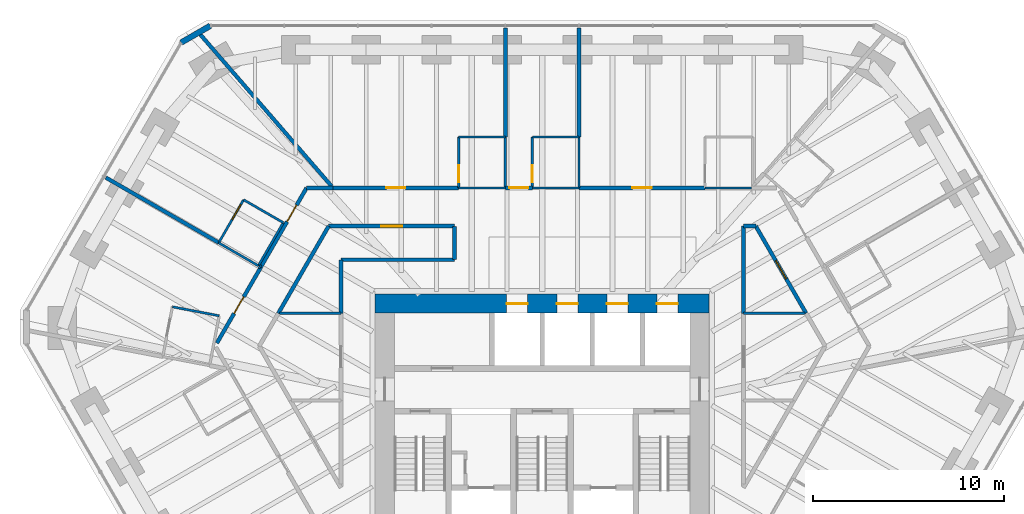
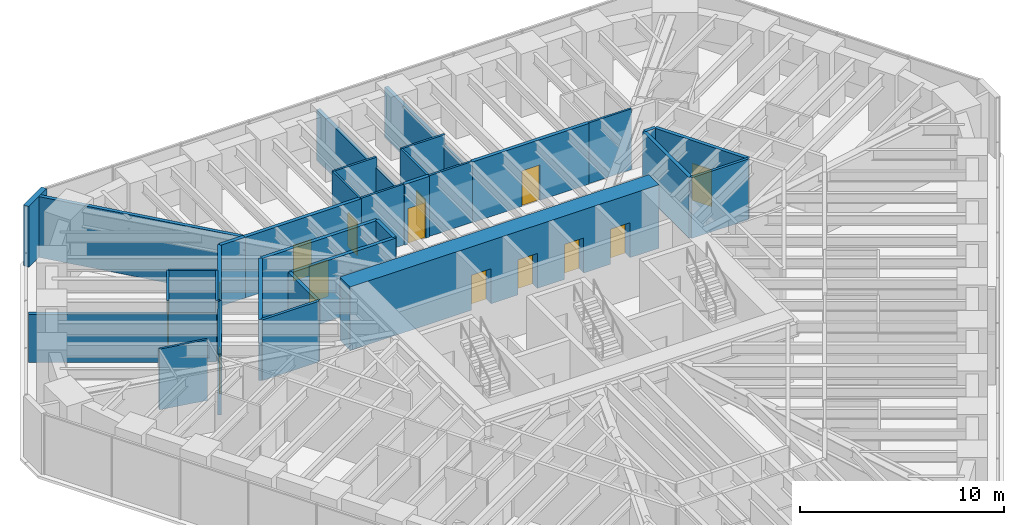
# One storey, part 14 of 16: 37 walls, 14 doors, 14 openings.
"""IFC4 building model written with IfcOpenShell, lengths in metres."""

from ifc_helpers import new_model, si_unit, direction, frame, frame_2d, origin, place, context, subcontext, project, spatial, rectangle, extrude, material, layer, layer_set, type_object, element, fill, save


model = new_model("IFC4")

# Units and contexts
model_context = context("Model", 3, precision=1e-05, world=origin(), true_north=direction((0.0, 1.0)))
body_context = subcontext(model_context, "Body", "Model", "MODEL_VIEW")
ifc_project = project(units=[si_unit("LENGTHUNIT", "METRE"), si_unit("AREAUNIT", "SQUARE_METRE"), si_unit("VOLUMEUNIT", "CUBIC_METRE"), si_unit("PLANEANGLEUNIT", "RADIAN"), si_unit("MASSUNIT", "GRAM", prefix="KILO")], contexts=[model_context])

# Site, building, storey
site_placement = place(None, origin())
site = spatial("IfcSite", under=ifc_project, at=site_placement, CompositionType="ELEMENT")
building_placement = place(site_placement, origin())
building = spatial("IfcBuilding", under=site, at=building_placement, Name="Sandreach Pilgrim Tower", CompositionType="ELEMENT")
storey_placement = place(building_placement, frame((0.0, 0.0, 190.800048828125)))
storey = spatial("IfcBuildingStorey", under=building, at=storey_placement, Name="L47", CompositionType="ELEMENT", Elevation=190.800048828125)

# Walls
ifc_material_1 = material(Name="Gypsum board on steel studs", Category="steel")
ifc_layer_1 = layer(ifc_material_1, 0.14990234375)
ifc_layer_set_1 = layer_set([ifc_layer_1], Name="Back of house wall 150")
wall_type_1 = type_object("IfcWallType", Name="Back of house wall 150", PredefinedType="PARTITIONING", material=ifc_layer_set_1)
for number, where, z_axis, x_axis, name in (
    (1, (-13.77490234375, 6.090087890625, 0.0), (0.0, 0.0, 1.0), (1.0, 0.0, 0.0), "Back of house wall L47-026"),
    (2, (13.77490234375, 6.090087890625, 0.0), (0.0, 0.0, 1.0), (-1.0, 0.0, 0.0), "Back of house wall L47-131"),
):
    element("IfcWall", number, at=place(storey_placement, frame(where, z_axis=z_axis, x_axis=x_axis)), inside=storey, type_object=wall_type_1, Name=name, PredefinedType="PARTITIONING", context=body_context, shape_type="SweptSolid", body=[
        extrude(rectangle(XDim=3.224853515625, YDim=0.14990234375, at=frame_2d((1.6123046875, 0.0))), origin(), (0.0, 0.0, 1.0), 3.639892578125),
    ])
ifc_material_2 = material(Name="Moisture-resistant gypsum board on steel studs", Category="steel")
ifc_layer_2 = layer(ifc_material_2, 0.1201171875)
ifc_layer_set_2 = layer_set([ifc_layer_2], Name="Bathroom partition 120")
wall_type_2 = type_object("IfcWallType", Name="Bathroom partition 120", PredefinedType="PARTITIONING", material=ifc_layer_set_2)
wall_1_placement = place(storey_placement, frame((-16.953857421875, 9.783447265625, 0.0), z_axis=(0.0, 0.0, 1.0), x_axis=(0.865862137391, -0.500282679124, 0.0)))
element("IfcWall", 3, at=wall_1_placement, inside=storey, type_object=wall_type_2, Name="Bathroom partition L47-011", PredefinedType="PARTITIONING", context=body_context, shape_type="SweptSolid", body=[
    extrude(rectangle(XDim=2.4013671875, YDim=0.1201171875, at=frame_2d((1.20068359375, 0.0))), origin(), (0.0, 0.0, 1.0), 2.8779296875),
])
wall_2_placement = place(storey_placement, frame((-16.929931640625, 5.9599609375, 0.0), z_axis=(0.0, 0.0, 1.0), x_axis=(-0.982097071605, 0.18837553436, 0.0)))
element("IfcWall", 4, at=wall_2_placement, inside=storey, type_object=wall_type_2, Name="Bathroom partition L47-013", PredefinedType="PARTITIONING", context=body_context, shape_type="SweptSolid", body=[
    extrude(rectangle(XDim=2.494873046875, YDim=0.1201171875, at=frame_2d((1.24755859375, 0.0))), origin(), (0.0, 0.0, 1.0), 3.639892578125),
])

# Wall, opening, door
wall_3_placement = place(storey_placement, frame((-15.64990234375, 12.0400390625, 0.0), z_axis=(0.0, 0.0, 1.0), x_axis=(-0.500291685314, -0.865856933682, 0.0)))
wall_3 = element("IfcWall", 5, at=wall_3_placement, inside=storey, type_object=wall_type_2, Name="Bathroom partition L47-016", PredefinedType="PARTITIONING", context=body_context, shape_type="SweptSolid", body=[
    extrude(rectangle(XDim=2.5986328125, YDim=0.1201171875, at=frame_2d((1.29931640625, 0.0))), origin(), (0.0, 0.0, 1.0), 3.639892578125),
])
opening_1_placement = place(wall_3_placement, frame((0.300048828125, 0.0, 0.0)))
opening_1 = element("IfcOpeningElement", 6, at=opening_1_placement, cuts=wall_3, Name="Opening D09-17B", PredefinedType="OPENING", context=body_context, shape_type="SweptSolid", body=[
    extrude(rectangle(XDim=0.89990234375, YDim=2.030029296875, at=frame_2d((0.449951171875, 1.01513671875))), frame((0.0, 0.06005859375, 0.0), z_axis=(0.0, -1.0, 0.0), x_axis=(1.0, 0.0, 0.0)), (0.0, 0.0, 1.0), 0.1201171875),
])
ifc_material_3 = material(Name="Timber door, steel frame", Category="steel")
door_type_1 = type_object("IfcDoorType", Name="Bathroom door", OperationType="SINGLE_SWING_LEFT", PredefinedType="DOOR", material=ifc_material_3)
door_1_placement = place(opening_1_placement, origin())
door_1 = element("IfcDoor", 7, at=door_1_placement, inside=storey, type_object=door_type_1, Name="Door 4717B", OperationType="SINGLE_SWING_LEFT", OverallHeight=2.030029296875, OverallWidth=0.89990234375, PredefinedType="DOOR", context=body_context, shape_type="SweptSolid", body=[
    extrude(rectangle(XDim=0.89990234375, YDim=2.030029296875, at=frame_2d((0.449951171875, 1.01513671875))), frame((0.0, 0.02490234375, 0.0), z_axis=(0.0, -1.0, 0.0), x_axis=(1.0, 0.0, 0.0)), (0.0, 0.0, 1.0), 0.050048828125),
])
fill(opening_1, door_1)

# Walls
wall_4_placement = place(storey_placement, frame((-14.8701171875, 8.590087890625, 0.0), z_axis=(0.0, 0.0, 1.0), x_axis=(0.500291685314, 0.865856933682, 0.0)))
element("IfcWall", 8, at=wall_4_placement, inside=storey, type_object=wall_type_2, Name="Bathroom partition L47-018", PredefinedType="PARTITIONING", context=body_context, shape_type="SweptSolid", body=[
    extrude(rectangle(XDim=2.5986328125, YDim=0.1201171875, at=frame_2d((1.29931640625, 0.0))), origin(), (0.0, 0.0, 1.0), 3.639892578125),
])
wall_5_placement = place(storey_placement, frame((-13.570068359375, 10.840087890625, 0.0), z_axis=(0.0, 0.0, 1.0), x_axis=(-0.866177122335, 0.499737123639, 0.0)))
element("IfcWall", 9, at=wall_5_placement, inside=storey, type_object=wall_type_2, Name="Bathroom partition L47-027", PredefinedType="PARTITIONING", context=body_context, shape_type="SweptSolid", body=[
    extrude(rectangle(XDim=2.401123046875, YDim=0.1201171875, at=frame_2d((1.20068359375, 0.0))), origin(), (0.0, 0.0, 1.0), 3.639892578125),
])

# Wall, opening, door
wall_6_placement = place(storey_placement, frame((-4.3798828125, 15.330078125, 0.0), z_axis=(0.0, 0.0, 1.0), x_axis=(0.0, -1.0, 0.0)))
wall_6 = element("IfcWall", 10, at=wall_6_placement, inside=storey, type_object=wall_type_2, Name="Bathroom partition L47-052", PredefinedType="PARTITIONING", context=body_context, shape_type="SweptSolid", body=[
    extrude(rectangle(XDim=2.670166015625, YDim=0.1201171875, at=frame_2d((1.3349609375, 0.0))), origin(), (0.0, 0.0, 1.0), 3.639892578125),
])
opening_2_placement = place(wall_6_placement, frame((1.469970703125, 0.0, 0.0)))
opening_2 = element("IfcOpeningElement", 11, at=opening_2_placement, cuts=wall_6, Name="Opening D09-01B", PredefinedType="OPENING", context=body_context, shape_type="SweptSolid", body=[
    extrude(rectangle(XDim=0.89990234375, YDim=2.030029296875, at=frame_2d((0.449951171875, 1.01513671875))), frame((0.0, 0.06005859375, 0.0), z_axis=(0.0, -1.0, 0.0), x_axis=(1.0, 0.0, 0.0)), (0.0, 0.0, 1.0), 0.1201171875),
])
door_2_placement = place(opening_2_placement, origin())
door_2 = element("IfcDoor", 12, at=door_2_placement, inside=storey, type_object=door_type_1, Name="Door 4701B", OperationType="SINGLE_SWING_RIGHT", OverallHeight=2.030029296875, OverallWidth=0.89990234375, PredefinedType="DOOR", context=body_context, shape_type="SweptSolid", body=[
    extrude(rectangle(XDim=0.89990234375, YDim=2.030029296875, at=frame_2d((0.449951171875, 1.01513671875))), frame((0.0, 0.02490234375, 0.0), z_axis=(0.0, -1.0, 0.0), x_axis=(1.0, 0.0, 0.0)), (0.0, 0.0, 1.0), 0.050048828125),
])
fill(opening_2, door_2)

# Walls
for number, where, z_axis, x_axis, name in (
    (13, (-1.929931640625, 12.659912109375, 0.0), (0.0, 0.0, 1.0), (-1.0, 0.0, 0.0), "Bathroom partition L47-064"),
    (14, (-1.929931640625, 15.330078125, 0.0), (0.0, 0.0, 1.0), (-1.0, 0.0, 0.0), "Bathroom partition L47-065"),
):
    element("IfcWall", number, at=place(storey_placement, frame(where, z_axis=z_axis, x_axis=x_axis)), inside=storey, type_object=wall_type_2, Name=name, PredefinedType="PARTITIONING", context=body_context, shape_type="SweptSolid", body=[
        extrude(rectangle(XDim=2.449951171875, YDim=0.1201171875, at=frame_2d((1.22509765625, 0.0))), origin(), (0.0, 0.0, 1.0), 3.639892578125),
    ])
wall_7_placement = place(storey_placement, frame((-1.929931640625, 15.330078125, 0.0), z_axis=(0.0, 0.0, 1.0), x_axis=(0.0, -1.0, 0.0)))
element("IfcWall", 15, at=wall_7_placement, inside=storey, type_object=wall_type_2, Name="Bathroom partition L47-066", PredefinedType="PARTITIONING", context=body_context, shape_type="SweptSolid", body=[
    extrude(rectangle(XDim=2.670166015625, YDim=0.1201171875, at=frame_2d((1.3349609375, 0.0))), origin(), (0.0, 0.0, 1.0), 3.022705078125),
])

# Wall, opening, door
wall_8_placement = place(storey_placement, frame((-0.52001953125, 15.330078125, 0.0), z_axis=(0.0, 0.0, 1.0), x_axis=(0.0, -1.0, 0.0)))
wall_8 = element("IfcWall", 16, at=wall_8_placement, inside=storey, type_object=wall_type_2, Name="Bathroom partition L47-073", PredefinedType="PARTITIONING", context=body_context, shape_type="SweptSolid", body=[
    extrude(rectangle(XDim=2.670166015625, YDim=0.1201171875, at=frame_2d((1.3349609375, 0.0))), origin(), (0.0, 0.0, 1.0), 3.639892578125),
])
opening_3_placement = place(wall_8_placement, frame((1.469970703125, 0.0, 0.0)))
opening_3 = element("IfcOpeningElement", 17, at=opening_3_placement, cuts=wall_8, Name="Opening D09-02B", PredefinedType="OPENING", context=body_context, shape_type="SweptSolid", body=[
    extrude(rectangle(XDim=0.89990234375, YDim=2.030029296875, at=frame_2d((0.449951171875, 1.01513671875))), frame((0.0, 0.06005859375, 0.0), z_axis=(0.0, -1.0, 0.0), x_axis=(1.0, 0.0, 0.0)), (0.0, 0.0, 1.0), 0.1201171875),
])
door_3_placement = place(opening_3_placement, origin())
door_3 = element("IfcDoor", 18, at=door_3_placement, inside=storey, type_object=door_type_1, Name="Door 4702B", OperationType="SINGLE_SWING_RIGHT", OverallHeight=2.030029296875, OverallWidth=0.89990234375, PredefinedType="DOOR", context=body_context, shape_type="SweptSolid", body=[
    extrude(rectangle(XDim=0.89990234375, YDim=2.030029296875, at=frame_2d((0.449951171875, 1.01513671875))), frame((0.0, 0.02490234375, 0.0), z_axis=(0.0, -1.0, 0.0), x_axis=(1.0, 0.0, 0.0)), (0.0, 0.0, 1.0), 0.050048828125),
])
fill(opening_3, door_3)

# Walls
for number, where, z_axis, x_axis, name in (
    (19, (1.929931640625, 12.659912109375, 0.0), (0.0, 0.0, 1.0), (-1.0, 0.0, 0.0), "Bathroom partition L47-080"),
    (20, (1.929931640625, 15.330078125, 0.0), (0.0, 0.0, 1.0), (-1.0, 0.0, 0.0), "Bathroom partition L47-081"),
):
    element("IfcWall", number, at=place(storey_placement, frame(where, z_axis=z_axis, x_axis=x_axis)), inside=storey, type_object=wall_type_2, Name=name, PredefinedType="PARTITIONING", context=body_context, shape_type="SweptSolid", body=[
        extrude(rectangle(XDim=2.449951171875, YDim=0.1201171875, at=frame_2d((1.22509765625, 0.0))), origin(), (0.0, 0.0, 1.0), 3.639892578125),
    ])
wall_9_placement = place(storey_placement, frame((1.929931640625, 15.330078125, 0.0), z_axis=(0.0, 0.0, 1.0), x_axis=(0.0, -1.0, 0.0)))
element("IfcWall", 21, at=wall_9_placement, inside=storey, type_object=wall_type_2, Name="Bathroom partition L47-082", PredefinedType="PARTITIONING", context=body_context, shape_type="SweptSolid", body=[
    extrude(rectangle(XDim=2.670166015625, YDim=0.1201171875, at=frame_2d((1.3349609375, 0.0))), origin(), (0.0, 0.0, 1.0), 3.022705078125),
])
wall_10_placement = place(storey_placement, frame((10.9599609375, 12.659912109375, 0.0), z_axis=(0.0, 0.0, 1.0), x_axis=(-1.0, 0.0, 0.0)))
element("IfcWall", 22, at=wall_10_placement, inside=storey, type_object=wall_type_2, Name="Bathroom partition L47-111", PredefinedType="PARTITIONING", context=body_context, shape_type="SweptSolid", body=[
    extrude(rectangle(XDim=2.429931640625, YDim=0.1201171875, at=frame_2d((1.21484375, 0.0))), origin(), (0.0, 0.0, 1.0), 3.639892578125),
])

# Wall, openings, doors
ifc_material_4 = material(Name="Concrete 10000 psi", Category="concrete")
ifc_layer_3 = layer(ifc_material_4, 1.0)
ifc_layer_set_3 = layer_set([ifc_layer_3], Name="Core wall 1000")
wall_type_3 = type_object("IfcWallType", Name="Core wall 1000", PredefinedType="SHEAR", material=ifc_layer_set_3)
wall_11_placement = place(storey_placement, frame((-8.75, 6.60009765625, 0.0), z_axis=(0.0, 0.0, 1.0), x_axis=(1.0, 0.0, 0.0)))
wall_11 = element("IfcWall", 23, at=wall_11_placement, inside=storey, type_object=wall_type_3, Name="Core wall N L47", PredefinedType="SHEAR", context=body_context, shape_type="SweptSolid", body=[
    extrude(rectangle(XDim=17.5, YDim=1.0, at=frame_2d((8.75, 0.0))), origin(), (0.0, 0.0, 1.0), 3.800048828125),
])
opening_4_placement = place(wall_11_placement, frame((6.887451171875, 0.0, 0.0)))
opening_4 = element("IfcOpeningElement", 24, at=opening_4_placement, cuts=wall_11, Name="Opening LD11", PredefinedType="OPENING", context=body_context, shape_type="SweptSolid", body=[
    extrude(rectangle(XDim=1.10009765625, YDim=2.10009765625, at=frame_2d((0.550048828125, 1.050048828125))), frame((0.0, 0.5, 0.0), z_axis=(0.0, -1.0, 0.0), x_axis=(1.0, 0.0, 0.0)), (0.0, 0.0, 1.0), 1.0),
])
opening_5_placement = place(wall_11_placement, frame((9.512451171875, 0.0, 0.0)))
opening_5 = element("IfcOpeningElement", 25, at=opening_5_placement, cuts=wall_11, Name="Opening LD11", PredefinedType="OPENING", context=body_context, shape_type="SweptSolid", body=[
    extrude(rectangle(XDim=1.10009765625, YDim=2.10009765625, at=frame_2d((0.550048828125, 1.050048828125))), frame((0.0, 0.5, 0.0), z_axis=(0.0, -1.0, 0.0), x_axis=(1.0, 0.0, 0.0)), (0.0, 0.0, 1.0), 1.0),
])
opening_6_placement = place(wall_11_placement, frame((12.137451171875, 0.0, 0.0)))
opening_6 = element("IfcOpeningElement", 26, at=opening_6_placement, cuts=wall_11, Name="Opening LD11", PredefinedType="OPENING", context=body_context, shape_type="SweptSolid", body=[
    extrude(rectangle(XDim=1.10009765625, YDim=2.10009765625, at=frame_2d((0.550048828125, 1.050048828125))), frame((0.0, 0.5, 0.0), z_axis=(0.0, -1.0, 0.0), x_axis=(1.0, 0.0, 0.0)), (0.0, 0.0, 1.0), 1.0),
])
opening_7_placement = place(wall_11_placement, frame((14.762451171875, 0.0, 0.0)))
opening_7 = element("IfcOpeningElement", 27, at=opening_7_placement, cuts=wall_11, Name="Opening LD11", PredefinedType="OPENING", context=body_context, shape_type="SweptSolid", body=[
    extrude(rectangle(XDim=1.10009765625, YDim=2.10009765625, at=frame_2d((0.550048828125, 1.050048828125))), frame((0.0, 0.5, 0.0), z_axis=(0.0, -1.0, 0.0), x_axis=(1.0, 0.0, 0.0)), (0.0, 0.0, 1.0), 1.0),
])
ifc_material_5 = material(Name="Steel door and frame", Category="steel")
door_type_2 = type_object("IfcDoorType", Name="Lift landing door", OperationType="DOUBLE_DOOR_SLIDING", PredefinedType="DOOR", material=ifc_material_5)
door_4_placement = place(opening_4_placement, origin())
door_4 = element("IfcDoor", 28, at=door_4_placement, inside=storey, type_object=door_type_2, Name="Lift landing door Z3A L47", OperationType="DOUBLE_DOOR_SLIDING", OverallHeight=2.10009765625, OverallWidth=1.10009765625, PredefinedType="DOOR", context=body_context, shape_type="SweptSolid", body=[
    extrude(rectangle(XDim=1.10009765625, YDim=2.10009765625, at=frame_2d((0.550048828125, 1.050048828125))), frame((0.0, 0.02490234375, 0.0), z_axis=(0.0, -1.0, 0.0), x_axis=(1.0, 0.0, 0.0)), (0.0, 0.0, 1.0), 0.050048828125),
])
fill(opening_4, door_4)
door_5_placement = place(opening_5_placement, origin())
door_5 = element("IfcDoor", 29, at=door_5_placement, inside=storey, type_object=door_type_2, Name="Lift landing door Z3B L47", OperationType="DOUBLE_DOOR_SLIDING", OverallHeight=2.10009765625, OverallWidth=1.10009765625, PredefinedType="DOOR", context=body_context, shape_type="SweptSolid", body=[
    extrude(rectangle(XDim=1.10009765625, YDim=2.10009765625, at=frame_2d((0.550048828125, 1.050048828125))), frame((0.0, 0.02490234375, 0.0), z_axis=(0.0, -1.0, 0.0), x_axis=(1.0, 0.0, 0.0)), (0.0, 0.0, 1.0), 0.050048828125),
])
fill(opening_5, door_5)
door_6_placement = place(opening_6_placement, origin())
door_6 = element("IfcDoor", 30, at=door_6_placement, inside=storey, type_object=door_type_2, Name="Lift landing door Z3C L47", OperationType="DOUBLE_DOOR_SLIDING", OverallHeight=2.10009765625, OverallWidth=1.10009765625, PredefinedType="DOOR", context=body_context, shape_type="SweptSolid", body=[
    extrude(rectangle(XDim=1.10009765625, YDim=2.10009765625, at=frame_2d((0.550048828125, 1.050048828125))), frame((0.0, 0.02490234375, 0.0), z_axis=(0.0, -1.0, 0.0), x_axis=(1.0, 0.0, 0.0)), (0.0, 0.0, 1.0), 0.050048828125),
])
fill(opening_6, door_6)
door_7_placement = place(opening_7_placement, origin())
door_7 = element("IfcDoor", 31, at=door_7_placement, inside=storey, type_object=door_type_2, Name="Lift landing door Z3D L47", OperationType="DOUBLE_DOOR_SLIDING", OverallHeight=2.10009765625, OverallWidth=1.10009765625, PredefinedType="DOOR", context=body_context, shape_type="SweptSolid", body=[
    extrude(rectangle(XDim=1.10009765625, YDim=2.10009765625, at=frame_2d((0.550048828125, 1.050048828125))), frame((0.0, 0.02490234375, 0.0), z_axis=(0.0, -1.0, 0.0), x_axis=(1.0, 0.0, 0.0)), (0.0, 0.0, 1.0), 0.050048828125),
])
fill(opening_7, door_7)

# Wall, opening, door
ifc_material_6 = material(Name="Gypsum board on steel studs, two layers each side", Category="steel")
ifc_layer_4 = layer(ifc_material_6, 0.199951171875)
ifc_layer_set_4 = layer_set([ifc_layer_4], Name="Corridor wall 200")
wall_type_4 = type_object("IfcWallType", Name="Corridor wall 200", PredefinedType="PARTITIONING", material=ifc_layer_set_4)
wall_12_placement = place(storey_placement, frame((-14.75, 8.510009765625, 0.0), z_axis=(0.0, 0.0, 1.0), x_axis=(0.500618647881, 0.86566793252, 0.0)))
wall_12 = element("IfcWall", 32, at=wall_12_placement, inside=storey, type_object=wall_type_4, Name="Corridor wall L47-021", PredefinedType="PARTITIONING", context=body_context, shape_type="SweptSolid", body=[
    extrude(rectangle(XDim=4.7939453125, YDim=0.199951171875, at=frame_2d((2.39697265625, 0.0))), origin(), (0.0, 0.0, 1.0), 3.639892578125),
])
opening_8_placement = place(wall_12_placement, frame((2.75, 0.0, 0.0)))
opening_8 = element("IfcOpeningElement", 33, at=opening_8_placement, cuts=wall_12, Name="Opening D10-17", PredefinedType="OPENING", context=body_context, shape_type="SweptSolid", body=[
    extrude(rectangle(XDim=1.0, YDim=2.1298828125, at=frame_2d((0.5, 1.06494140625))), frame((0.0, 0.10009765625, 0.0), z_axis=(0.0, -1.0, 0.0), x_axis=(1.0, 0.0, 0.0)), (0.0, 0.0, 1.0), 0.199951171875),
])
ifc_material_7 = material(Name="Steel door and frame", Category="steel")
door_type_3 = type_object("IfcDoorType", Name="Guest room entry door", OperationType="SINGLE_SWING_LEFT", PredefinedType="DOOR", material=ifc_material_7)
door_8_placement = place(opening_8_placement, origin())
door_8 = element("IfcDoor", 34, at=door_8_placement, inside=storey, type_object=door_type_3, Name="Door 4717", OperationType="SINGLE_SWING_RIGHT", OverallHeight=2.1298828125, OverallWidth=1.0, PredefinedType="DOOR", context=body_context, shape_type="SweptSolid", body=[
    extrude(rectangle(XDim=1.0, YDim=2.1298828125, at=frame_2d((0.5, 1.06494140625))), frame((0.0, 0.02490234375, 0.0), z_axis=(0.0, -1.0, 0.0), x_axis=(1.0, 0.0, 0.0)), (0.0, 0.0, 1.0), 0.050048828125),
])
fill(opening_8, door_8)

wall_13_placement = place(storey_placement, frame((-14.739990234375, 8.510009765625, 0.0), z_axis=(0.0, 0.0, 1.0), x_axis=(-0.501513165407, -0.865150012959, 0.0)))
wall_13 = element("IfcWall", 35, at=wall_13_placement, inside=storey, type_object=wall_type_4, Name="Corridor wall L47-022", PredefinedType="PARTITIONING", context=body_context, shape_type="SweptSolid", body=[
    extrude(rectangle(XDim=4.600341796875, YDim=0.199951171875, at=frame_2d((2.30029296875, 0.0))), origin(), (0.0, 0.0, 1.0), 3.639892578125),
])
opening_9_placement = place(wall_13_placement, frame((1.80029296875, 0.0, 0.0)))
opening_9 = element("IfcOpeningElement", 36, at=opening_9_placement, cuts=wall_13, Name="Opening D10-16", PredefinedType="OPENING", context=body_context, shape_type="SweptSolid", body=[
    extrude(rectangle(XDim=1.0, YDim=2.1298828125, at=frame_2d((0.5, 1.06494140625))), frame((0.0, 0.10009765625, 0.0), z_axis=(0.0, -1.0, 0.0), x_axis=(1.0, 0.0, 0.0)), (0.0, 0.0, 1.0), 0.199951171875),
])
door_9_placement = place(opening_9_placement, origin())
door_9 = element("IfcDoor", 37, at=door_9_placement, inside=storey, type_object=door_type_3, Name="Door 4716", OperationType="SINGLE_SWING_LEFT", OverallHeight=2.1298828125, OverallWidth=1.0, PredefinedType="DOOR", context=body_context, shape_type="SweptSolid", body=[
    extrude(rectangle(XDim=1.0, YDim=2.1298828125, at=frame_2d((0.5, 1.06494140625))), frame((0.0, 0.02490234375, 0.0), z_axis=(0.0, -1.0, 0.0), x_axis=(1.0, 0.0, 0.0)), (0.0, 0.0, 1.0), 0.050048828125),
])
fill(opening_9, door_9)

# Wall
wall_14_placement = place(storey_placement, frame((-13.830078125, 6.090087890625, 0.0), z_axis=(0.0, 0.0, 1.0), x_axis=(0.500248310865, 0.865881993967, 0.0)))
element("IfcWall", 38, at=wall_14_placement, inside=storey, type_object=wall_type_4, Name="Corridor wall L47-025", PredefinedType="PARTITIONING", context=body_context, shape_type="SweptSolid", body=[
    extrude(rectangle(XDim=5.277587890625, YDim=0.199951171875, at=frame_2d((2.638671875, 0.0))), origin(), (0.0, 0.0, 1.0), 3.639892578125),
])

# Wall, opening, door
wall_15_placement = place(storey_placement, frame((-11.18994140625, 10.659912109375, 0.0), z_axis=(0.0, 0.0, 1.0), x_axis=(1.0, 0.0, 0.0)))
wall_15 = element("IfcWall", 39, at=wall_15_placement, inside=storey, type_object=wall_type_4, Name="Corridor wall L47-033", PredefinedType="PARTITIONING", context=body_context, shape_type="SweptSolid", body=[
    extrude(rectangle(XDim=6.58984375, YDim=0.199951171875, at=frame_2d((3.294921875, 0.0))), origin(), (0.0, 0.0, 1.0), 3.639892578125),
])
opening_10_placement = place(wall_15_placement, frame((2.7451171875, 0.0, 0.0)))
opening_10 = element("IfcOpeningElement", 40, at=opening_10_placement, cuts=wall_15, Name="Opening D11H-M03", PredefinedType="OPENING", context=body_context, shape_type="SweptSolid", body=[
    extrude(rectangle(XDim=1.10009765625, YDim=2.199951171875, at=frame_2d((0.550048828125, 1.10009765625))), frame((0.0, 0.10009765625, 0.0), z_axis=(0.0, -1.0, 0.0), x_axis=(1.0, 0.0, 0.0)), (0.0, 0.0, 1.0), 0.199951171875),
])
ifc_material_8 = material(Name="Steel door and frame", Category="steel")
door_type_4 = type_object("IfcDoorType", Name="Back of house door", OperationType="SINGLE_SWING_LEFT", PredefinedType="DOOR", material=ifc_material_8)
door_10_placement = place(opening_10_placement, origin())
door_10 = element("IfcDoor", 41, at=door_10_placement, inside=storey, type_object=door_type_4, Name="Door 47M03", OperationType="SINGLE_SWING_LEFT", OverallHeight=2.199951171875, OverallWidth=1.10009765625, PredefinedType="DOOR", context=body_context, shape_type="SweptSolid", body=[
    extrude(rectangle(XDim=1.10009765625, YDim=2.199951171875, at=frame_2d((0.550048828125, 1.10009765625))), frame((0.0, 0.02490234375, 0.0), z_axis=(0.0, -1.0, 0.0), x_axis=(1.0, 0.0, 0.0)), (0.0, 0.0, 1.0), 0.050048828125),
])
fill(opening_10, door_10)

# Walls
wall_16_placement = place(storey_placement, frame((-10.9599609375, 12.659912109375, 0.0), z_axis=(0.0, 0.0, 1.0), x_axis=(-1.0, 0.0, 0.0)))
element("IfcWall", 42, at=wall_16_placement, inside=storey, type_object=wall_type_4, Name="Corridor wall L47-036", PredefinedType="PARTITIONING", context=body_context, shape_type="SweptSolid", body=[
    extrude(rectangle(XDim=1.39013671875, YDim=0.199951171875, at=frame_2d((0.695068359375, 0.0))), origin(), (0.0, 0.0, 1.0), 3.639892578125),
])
wall_17_placement = place(storey_placement, frame((-10.550048828125, 8.889892578125, 0.0), z_axis=(0.0, 0.0, 1.0), x_axis=(0.0, -1.0, 0.0)))
element("IfcWall", 43, at=wall_17_placement, inside=storey, type_object=wall_type_4, Name="Corridor wall L47-042", PredefinedType="PARTITIONING", context=body_context, shape_type="SweptSolid", body=[
    extrude(rectangle(XDim=2.7998046875, YDim=0.199951171875, at=frame_2d((1.39990234375, 0.0))), origin(), (0.0, 0.0, 1.0), 3.639892578125),
])
wall_18_placement = place(storey_placement, frame((-4.60009765625, 8.89990234375, 0.0), z_axis=(0.0, 0.0, 1.0), x_axis=(-1.0, 0.0, 0.0)))
element("IfcWall", 44, at=wall_18_placement, inside=storey, type_object=wall_type_4, Name="Corridor wall L47-049", PredefinedType="PARTITIONING", context=body_context, shape_type="SweptSolid", body=[
    extrude(rectangle(XDim=5.949951171875, YDim=0.199951171875, at=frame_2d((2.97509765625, 0.0))), origin(), (0.0, 0.0, 1.0), 3.639892578125),
])
wall_19_placement = place(storey_placement, frame((-4.60009765625, 10.64990234375, 0.0), z_axis=(0.0, 0.0, 1.0), x_axis=(0.0, -1.0, 0.0)))
element("IfcWall", 45, at=wall_19_placement, inside=storey, type_object=wall_type_4, Name="Corridor wall L47-050", PredefinedType="PARTITIONING", context=body_context, shape_type="SweptSolid", body=[
    extrude(rectangle(XDim=1.739990234375, YDim=0.199951171875, at=frame_2d((0.8701171875, 0.0))), origin(), (0.0, 0.0, 1.0), 3.639892578125),
])

# Wall, opening, door
wall_20_placement = place(storey_placement, frame((-4.3798828125, 12.659912109375, 0.0), z_axis=(0.0, 0.0, 1.0), x_axis=(-1.0, 0.0, 0.0)))
wall_20 = element("IfcWall", 46, at=wall_20_placement, inside=storey, type_object=wall_type_4, Name="Corridor wall L47-051", PredefinedType="PARTITIONING", context=body_context, shape_type="SweptSolid", body=[
    extrude(rectangle(XDim=6.580078125, YDim=0.199951171875, at=frame_2d((3.2900390625, 0.0))), origin(), (0.0, 0.0, 1.0), 3.639892578125),
])
opening_11_placement = place(wall_20_placement, frame((2.7900390625, 0.0, 0.0)))
opening_11 = element("IfcOpeningElement", 47, at=opening_11_placement, cuts=wall_20, Name="Opening D10-01", PredefinedType="OPENING", context=body_context, shape_type="SweptSolid", body=[
    extrude(rectangle(XDim=1.0, YDim=2.1298828125, at=frame_2d((0.5, 1.06494140625))), frame((0.0, 0.10009765625, 0.0), z_axis=(0.0, -1.0, 0.0), x_axis=(1.0, 0.0, 0.0)), (0.0, 0.0, 1.0), 0.199951171875),
])
door_11_placement = place(opening_11_placement, origin())
door_11 = element("IfcDoor", 48, at=door_11_placement, inside=storey, type_object=door_type_3, Name="Door 4701", OperationType="SINGLE_SWING_LEFT", OverallHeight=2.1298828125, OverallWidth=1.0, PredefinedType="DOOR", context=body_context, shape_type="SweptSolid", body=[
    extrude(rectangle(XDim=1.0, YDim=2.1298828125, at=frame_2d((0.5, 1.06494140625))), frame((0.0, 0.02490234375, 0.0), z_axis=(0.0, -1.0, 0.0), x_axis=(1.0, 0.0, 0.0)), (0.0, 0.0, 1.0), 0.050048828125),
])
fill(opening_11, door_11)

wall_21_placement = place(storey_placement, frame((-0.52001953125, 12.659912109375, 0.0), z_axis=(0.0, 0.0, 1.0), x_axis=(-1.0, 0.0, 0.0)))
wall_21 = element("IfcWall", 49, at=wall_21_placement, inside=storey, type_object=wall_type_4, Name="Corridor wall L47-072", PredefinedType="PARTITIONING", context=body_context, shape_type="SweptSolid", body=[
    extrude(rectangle(XDim=1.409912109375, YDim=0.199951171875, at=frame_2d((0.705078125, 0.0))), origin(), (0.0, 0.0, 1.0), 3.639892578125),
])
opening_12_placement = place(wall_21_placement, frame((0.205078125, 0.0, 0.0)))
opening_12 = element("IfcOpeningElement", 50, at=opening_12_placement, cuts=wall_21, Name="Opening D10-02", PredefinedType="OPENING", context=body_context, shape_type="SweptSolid", body=[
    extrude(rectangle(XDim=1.0, YDim=2.1298828125, at=frame_2d((0.5, 1.06494140625))), frame((0.0, 0.10009765625, 0.0), z_axis=(0.0, -1.0, 0.0), x_axis=(1.0, 0.0, 0.0)), (0.0, 0.0, 1.0), 0.199951171875),
])
door_12_placement = place(opening_12_placement, origin())
door_12 = element("IfcDoor", 51, at=door_12_placement, inside=storey, type_object=door_type_3, Name="Door 4702", OperationType="SINGLE_SWING_LEFT", OverallHeight=2.1298828125, OverallWidth=1.0, PredefinedType="DOOR", context=body_context, shape_type="SweptSolid", body=[
    extrude(rectangle(XDim=1.0, YDim=2.1298828125, at=frame_2d((0.5, 1.06494140625))), frame((0.0, 0.02490234375, 0.0), z_axis=(0.0, -1.0, 0.0), x_axis=(1.0, 0.0, 0.0)), (0.0, 0.0, 1.0), 0.050048828125),
])
fill(opening_12, door_12)

wall_22_placement = place(storey_placement, frame((8.530029296875, 12.659912109375, 0.0), z_axis=(0.0, 0.0, 1.0), x_axis=(-1.0, 0.0, 0.0)))
wall_22 = element("IfcWall", 52, at=wall_22_placement, inside=storey, type_object=wall_type_4, Name="Corridor wall L47-101", PredefinedType="PARTITIONING", context=body_context, shape_type="SweptSolid", body=[
    extrude(rectangle(XDim=6.60009765625, YDim=0.199951171875, at=frame_2d((3.300048828125, 0.0))), origin(), (0.0, 0.0, 1.0), 3.639892578125),
])
opening_13_placement = place(wall_22_placement, frame((2.800048828125, 0.0, 0.0)))
opening_13 = element("IfcOpeningElement", 53, at=opening_13_placement, cuts=wall_22, Name="Opening D10-03", PredefinedType="OPENING", context=body_context, shape_type="SweptSolid", body=[
    extrude(rectangle(XDim=1.0, YDim=2.1298828125, at=frame_2d((0.5, 1.06494140625))), frame((0.0, 0.10009765625, 0.0), z_axis=(0.0, -1.0, 0.0), x_axis=(1.0, 0.0, 0.0)), (0.0, 0.0, 1.0), 0.199951171875),
])
door_13_placement = place(opening_13_placement, origin())
door_13 = element("IfcDoor", 54, at=door_13_placement, inside=storey, type_object=door_type_3, Name="Door 4703", OperationType="SINGLE_SWING_LEFT", OverallHeight=2.1298828125, OverallWidth=1.0, PredefinedType="DOOR", context=body_context, shape_type="SweptSolid", body=[
    extrude(rectangle(XDim=1.0, YDim=2.1298828125, at=frame_2d((0.5, 1.06494140625))), frame((0.0, 0.02490234375, 0.0), z_axis=(0.0, -1.0, 0.0), x_axis=(1.0, 0.0, 0.0)), (0.0, 0.0, 1.0), 0.050048828125),
])
fill(opening_13, door_13)

# Walls
wall_23_placement = place(storey_placement, frame((10.550048828125, 6.090087890625, 0.0), z_axis=(0.0, 0.0, 1.0), x_axis=(0.0, 1.0, 0.0)))
element("IfcWall", 55, at=wall_23_placement, inside=storey, type_object=wall_type_4, Name="Corridor wall L47-109", PredefinedType="PARTITIONING", context=body_context, shape_type="SweptSolid", body=[
    extrude(rectangle(XDim=4.56982421875, YDim=0.199951171875, at=frame_2d((2.284912109375, 0.0))), origin(), (0.0, 0.0, 1.0), 3.639892578125),
])
wall_24_placement = place(storey_placement, frame((10.56005859375, 10.659912109375, 0.0), z_axis=(0.0, 0.0, 1.0), x_axis=(1.0, 0.0, 0.0)))
element("IfcWall", 56, at=wall_24_placement, inside=storey, type_object=wall_type_4, Name="Corridor wall L47-110", PredefinedType="PARTITIONING", context=body_context, shape_type="SweptSolid", body=[
    extrude(rectangle(XDim=0.6298828125, YDim=0.199951171875, at=frame_2d((0.31494140625, 0.0))), origin(), (0.0, 0.0, 1.0), 3.639892578125),
])

# Wall, opening, door
wall_25_placement = place(storey_placement, frame((11.18994140625, 10.659912109375, 0.0), z_axis=(0.0, 0.0, 1.0), x_axis=(0.500248310865, -0.865881993967, 0.0)))
wall_25 = element("IfcWall", 57, at=wall_25_placement, inside=storey, type_object=wall_type_4, Name="Corridor wall L47-116", PredefinedType="PARTITIONING", context=body_context, shape_type="SweptSolid", body=[
    extrude(rectangle(XDim=5.277587890625, YDim=0.199951171875, at=frame_2d((2.638671875, 0.0))), origin(), (0.0, 0.0, 1.0), 3.639892578125),
])
opening_14_placement = place(wall_25_placement, frame((2.0888671875, 0.0, 0.0)))
opening_14 = element("IfcOpeningElement", 58, at=opening_14_placement, cuts=wall_25, Name="Opening D11H-M05", PredefinedType="OPENING", context=body_context, shape_type="SweptSolid", body=[
    extrude(rectangle(XDim=1.10009765625, YDim=2.199951171875, at=frame_2d((0.550048828125, 1.10009765625))), frame((0.0, 0.10009765625, 0.0), z_axis=(0.0, -1.0, 0.0), x_axis=(1.0, 0.0, 0.0)), (0.0, 0.0, 1.0), 0.199951171875),
])
door_14_placement = place(opening_14_placement, origin())
door_14 = element("IfcDoor", 59, at=door_14_placement, inside=storey, type_object=door_type_4, Name="Door 47M05", OperationType="SINGLE_SWING_LEFT", OverallHeight=2.199951171875, OverallWidth=1.10009765625, PredefinedType="DOOR", context=body_context, shape_type="SweptSolid", body=[
    extrude(rectangle(XDim=1.10009765625, YDim=2.199951171875, at=frame_2d((0.550048828125, 1.10009765625))), frame((0.0, 0.02490234375, 0.0), z_axis=(0.0, -1.0, 0.0), x_axis=(1.0, 0.0, 0.0)), (0.0, 0.0, 1.0), 0.050048828125),
])
fill(opening_14, door_14)

# Walls
ifc_material_9 = material(Name="Double steel stud acoustic wall, gypsum board", Category="steel")
ifc_layer_5 = layer(ifc_material_9, 0.199951171875)
ifc_layer_set_5 = layer_set([ifc_layer_5], Name="Party wall 200")
wall_type_5 = type_object("IfcWallType", Name="Party wall 200", PredefinedType="PARTITIONING", material=ifc_layer_set_5)
wall_26_placement = place(storey_placement, frame((-16.949951171875, 9.7900390625, 0.0), z_axis=(0.0, 0.0, 1.0), x_axis=(-0.866371236465, 0.499400521251, 0.0)))
element("IfcWall", 60, at=wall_26_placement, inside=storey, type_object=wall_type_5, Name="Party wall L47-012", PredefinedType="PARTITIONING", context=body_context, shape_type="SweptSolid", body=[
    extrude(rectangle(XDim=6.82861328125, YDim=0.199951171875, at=frame_2d((3.414306640625, 0.0))), origin(), (0.0, 0.0, 1.0), 2.8779296875),
])
wall_27_placement = place(storey_placement, frame((-14.826904296875, 8.554443359375, 0.0), z_axis=(0.0, 0.0, 1.0), x_axis=(0.865865073245, -0.500277597875, 0.0)))
element("IfcWall", 61, at=wall_27_placement, inside=storey, type_object=wall_type_5, Name="Party wall L47-020", PredefinedType="PARTITIONING", context=body_context, shape_type="SweptSolid", body=[
    extrude(rectangle(XDim=0.0888671875, YDim=0.199951171875, at=frame_2d((0.04443359375, 0.0))), origin(), (0.0, 0.0, 1.0), 3.639892578125),
])
wall_28_placement = place(storey_placement, frame((-11.02880859375, 12.739501953125, 0.0), z_axis=(0.0, 0.0, 1.0), x_axis=(-0.654429261747, 0.756123231603, 0.0)))
element("IfcWall", 62, at=wall_28_placement, inside=storey, type_object=wall_type_5, Name="Party wall L47-035", PredefinedType="PARTITIONING", context=body_context, shape_type="SweptSolid", body=[
    extrude(rectangle(XDim=10.683349609375, YDim=0.199951171875, at=frame_2d((5.341796875, 0.0))), origin(), (0.0, 0.0, 1.0), 3.639892578125),
])
for number, where, z_axis, x_axis, name in (
    (63, (-1.929931640625, 21.0400390625, 0.0), (0.0, 0.0, 1.0), (0.0, -1.0, 0.0), "Party wall L47-067"),
    (64, (1.929931640625, 21.0400390625, 0.0), (0.0, 0.0, 1.0), (0.0, -1.0, 0.0), "Party wall L47-083"),
):
    element("IfcWall", number, at=place(storey_placement, frame(where, z_axis=z_axis, x_axis=x_axis)), inside=storey, type_object=wall_type_5, Name=name, PredefinedType="PARTITIONING", context=body_context, shape_type="SweptSolid", body=[
        extrude(rectangle(XDim=5.7099609375, YDim=0.199951171875, at=frame_2d((2.85498046875, 0.0))), origin(), (0.0, 0.0, 1.0), 3.022705078125),
    ])
ifc_material_10 = material(Name="Terracotta rainscreen on concrete", Category="masonry")
ifc_layer_6 = layer(ifc_material_10, 0.300048828125)
ifc_layer_set_6 = layer_set([ifc_layer_6], Name="Terracotta chamfer pier")
wall_type_6 = type_object("IfcWallType", Name="Terracotta chamfer pier", PredefinedType="SOLIDWALL", material=ifc_layer_set_6)
wall_29_placement = place(storey_placement, frame((-18.9228515625, 20.275146484375, 0.0), z_axis=(0.0, 0.0, 1.0), x_axis=(0.866036293601, 0.499981137809, 0.0)))
element("IfcWall", 65, at=wall_29_placement, inside=storey, type_object=wall_type_6, Name="Chamfer pier L47 NW", PredefinedType="SOLIDWALL", context=body_context, shape_type="SweptSolid", body=[
    extrude(rectangle(XDim=1.77001953125, YDim=0.300048828125, at=frame_2d((0.885009765625, 0.0))), origin(), (0.0, 0.0, 1.0), 3.639892578125),
])

save(model, "model.ifc")
